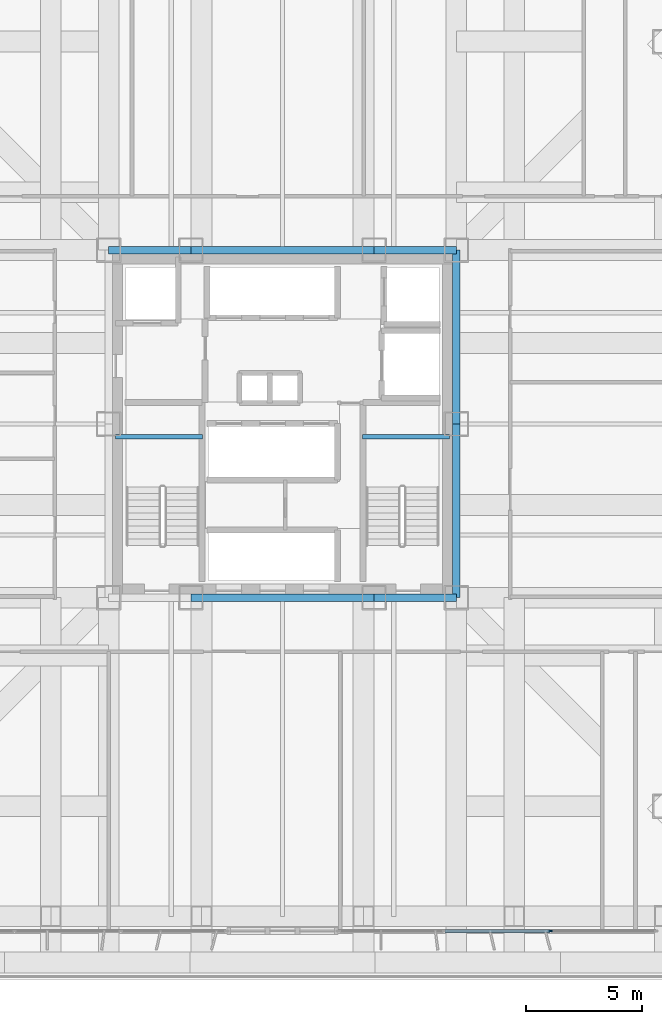
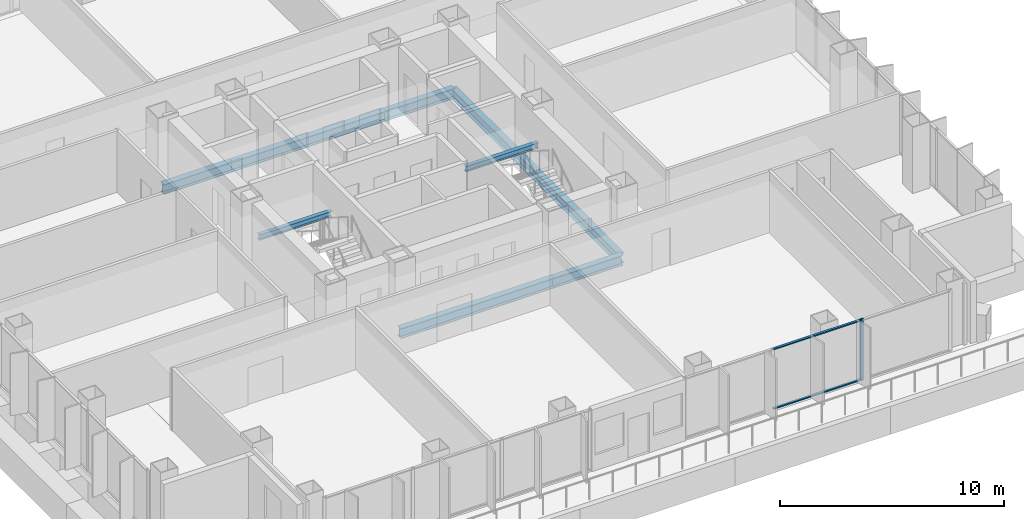
# One storey, part 5 of 17: 9 beams, 3 members, 1 element without a shape of its own.
"""IFC4 building model written with IfcOpenShell, lengths in metres."""

from ifc_helpers import new_model, si_unit, direction, frame, origin, origin_2d, place, context, subcontext, project, spatial, rectangle, i_section, extrude, material, layer, layer_set, material_profile, profile_set, type_object, element, aggregate, save


model = new_model("IFC4")

# Units and contexts
model_context = context("Model", 3, precision=1e-05, world=origin(), true_north=direction((0.0, 1.0)))
body_context = subcontext(model_context, "Body", "Model", "MODEL_VIEW")
ifc_project = project(units=[si_unit("LENGTHUNIT", "METRE"), si_unit("AREAUNIT", "SQUARE_METRE"), si_unit("VOLUMEUNIT", "CUBIC_METRE"), si_unit("PLANEANGLEUNIT", "RADIAN"), si_unit("MASSUNIT", "GRAM", prefix="KILO")], contexts=[model_context])

# Site, building, storey
site_placement = place(None, origin())
site = spatial("IfcSite", under=ifc_project, at=site_placement, CompositionType="ELEMENT")
building_placement = place(site_placement, origin())
building = spatial("IfcBuilding", under=site, at=building_placement, Name="Trevonay Congress Spire", CompositionType="ELEMENT")
storey_placement = place(building_placement, frame((0.0, 0.0, 94.0)))
storey = spatial("IfcBuildingStorey", under=building, at=storey_placement, Name="L23", CompositionType="ELEMENT", Elevation=94.0)

# Beams
ifc_material_1 = material(Name="Steel ASTM A572 Grade 50", Category="steel")
ifc_material_profile_1 = material_profile(ifc_material_1, i_section(OverallWidth=0.31201171875, OverallDepth=0.54296875, WebThickness=0.0126953125, FlangeThickness=0.020263671875, FilletRadius=0.014892578125, at=origin_2d()), Name="W530x150")
ifc_profile_set_1 = profile_set([ifc_material_profile_1], Name="Steel ASTM A572 Grade 50")
beam_type_1 = type_object("IfcBeamType", Name="BM-GIRD-W530X150", PredefinedType="BEAM", material=ifc_profile_set_1)
beam_1_placement = place(storey_placement, frame((-3.949951171875, -7.5, -0.67138671875), z_axis=(1.0, 0.0, 0.0), x_axis=(0.0, 1.0, 0.0)))
element("IfcBeam", 1, at=beam_1_placement, inside=storey, type_object=beam_type_1, Name="L23 structural beam BM-L23-CR-S2", PredefinedType="BEAM", context=body_context, shape_type="SweptSolid", body=[
    extrude(i_section(OverallWidth=0.31201171875, OverallDepth=0.54296875, WebThickness=0.0126953125, FlangeThickness=0.020263671875, FilletRadius=0.014892578125, at=origin_2d()), origin(), (0.0, 0.0, 1.0), 7.89990234375),
])
for number, where, z_axis, x_axis, name in (
    (2, (3.949951171875, -7.5, -0.67138671875), (1.0, 0.0, 0.0), (0.0, 1.0, 0.0), "L23 structural beam BM-L23-CR-S3"),
    (3, (-7.5, 7.5, -0.67138671875), (1.0, 0.0, 0.0), (0.0, 1.0, 0.0), "L23 structural beam BM-L23-CR-N1"),
):
    element("IfcBeam", number, at=place(storey_placement, frame(where, z_axis=z_axis, x_axis=x_axis)), inside=storey, type_object=beam_type_1, Name=name, PredefinedType="BEAM", context=body_context, shape_type="SweptSolid", body=[
        extrude(i_section(OverallWidth=0.31201171875, OverallDepth=0.54296875, WebThickness=0.0126953125, FlangeThickness=0.020263671875, FilletRadius=0.014892578125, at=origin_2d()), origin(), (0.0, 0.0, 1.0), 3.550048828125),
    ])
beam_2_placement = place(storey_placement, frame((-3.949951171875, 7.5, -0.67138671875), z_axis=(1.0, 0.0, 0.0), x_axis=(0.0, 1.0, 0.0)))
element("IfcBeam", 4, at=beam_2_placement, inside=storey, type_object=beam_type_1, Name="L23 structural beam BM-L23-CR-N2", PredefinedType="BEAM", context=body_context, shape_type="SweptSolid", body=[
    extrude(i_section(OverallWidth=0.31201171875, OverallDepth=0.54296875, WebThickness=0.0126953125, FlangeThickness=0.020263671875, FilletRadius=0.014892578125, at=origin_2d()), origin(), (0.0, 0.0, 1.0), 7.89990234375),
])
beam_3_placement = place(storey_placement, frame((3.949951171875, 7.5, -0.67138671875), z_axis=(1.0, 0.0, 0.0), x_axis=(0.0, 1.0, 0.0)))
element("IfcBeam", 5, at=beam_3_placement, inside=storey, type_object=beam_type_1, Name="L23 structural beam BM-L23-CR-N3", PredefinedType="BEAM", context=body_context, shape_type="SweptSolid", body=[
    extrude(i_section(OverallWidth=0.31201171875, OverallDepth=0.54296875, WebThickness=0.0126953125, FlangeThickness=0.020263671875, FilletRadius=0.014892578125, at=origin_2d()), origin(), (0.0, 0.0, 1.0), 3.550048828125),
])
for number, where, z_axis, x_axis, name in (
    (6, (7.5, -7.5, -0.67138671875), (0.0, 1.0, 0.0), (-1.0, 0.0, 0.0), "L23 structural beam BM-L23-CR-E1"),
    (7, (7.5, 0.0, -0.67138671875), (0.0, 1.0, 0.0), (-1.0, 0.0, 0.0), "L23 structural beam BM-L23-CR-E2"),
):
    element("IfcBeam", number, at=place(storey_placement, frame(where, z_axis=z_axis, x_axis=x_axis)), inside=storey, type_object=beam_type_1, Name=name, PredefinedType="BEAM", context=body_context, shape_type="SweptSolid", body=[
        extrude(i_section(OverallWidth=0.31201171875, OverallDepth=0.54296875, WebThickness=0.0126953125, FlangeThickness=0.020263671875, FilletRadius=0.014892578125, at=origin_2d()), origin(), (0.0, 0.0, 1.0), 7.5),
    ])

# Curtain wall, members
ifc_material_2 = material(Name="Pale Anodised Aluminium EN AW-6063-T6", Category="aluminium")
ifc_layer = layer(ifc_material_2, 0.175048828125, Name="Pale Anodised Aluminium EN AW-6063-T6")
ifc_layer_set = layer_set([ifc_layer], Name="Pale Anodised Aluminium EN AW-6063-T6")
curtain_wall_type = type_object("IfcCurtainWallType", Name="CW-SYS03-CONGRESS-PALE-METAL", PredefinedType="NOTDEFINED", material=ifc_layer_set)
curtain_wall_placement = place(storey_placement, origin())
curtain_wall = element("IfcCurtainWall", 8, at=curtain_wall_placement, inside=storey, type_object=curtain_wall_type, Name="L23 SB unitised curtain wall", PredefinedType="NOTDEFINED")
ifc_material_profile_2 = material_profile(ifc_material_2, rectangle(XDim=0.06005859375, YDim=0.159912109375, at=origin_2d()), Name="CW-MULLION-160-ALUMINIUM")
ifc_profile_set_2 = profile_set([ifc_material_profile_2], Name="Pale Anodised Aluminium EN AW-6063-T6")
member_type_1 = type_object("IfcMemberType", Name="CW-MULLION-160-ALUMINIUM", PredefinedType="MULLION", material=ifc_profile_set_2)
member_1_placement = place(storey_placement, frame((11.566650390625, -21.8798828125, 0.0), z_axis=(0.0, 0.0, 1.0), x_axis=(0.0, 1.0, 0.0)))
member_1 = element("IfcMember", 9, at=member_1_placement, type_object=member_type_1, Name="CW03 mullion 3", PredefinedType="MULLION", context=body_context, shape_type="SweptSolid", body=[
    extrude(rectangle(XDim=0.06005859375, YDim=0.159912109375, at=origin_2d()), origin(), (0.0, 0.0, 1.0), 3.360107421875),
])
ifc_material_profile_3 = material_profile(ifc_material_2, rectangle(XDim=0.1201171875, YDim=0.06005859375, at=origin_2d()), Name="CW-TRANSOM-120-ALUMINIUM")
ifc_profile_set_3 = profile_set([ifc_material_profile_3], Name="Pale Anodised Aluminium EN AW-6063-T6")
member_type_2 = type_object("IfcMemberType", Name="CW-TRANSOM-120-ALUMINIUM", PredefinedType="USERDEFINED", material=ifc_profile_set_3)
member_2_placement = place(storey_placement, frame((7.013427734375, -21.8798828125, 0.06005859375), z_axis=(1.0, 0.0, 0.0), x_axis=(0.0, 1.0, 0.0)))
member_2 = element("IfcMember", 10, at=member_2_placement, type_object=member_type_2, Name="CW03 transom 2.1", ObjectType="TRANSOM", PredefinedType="USERDEFINED", context=body_context, shape_type="SweptSolid", body=[
    extrude(rectangle(XDim=0.1201171875, YDim=0.06005859375, at=origin_2d()), origin(), (0.0, 0.0, 1.0), 4.523193359375),
])
member_3_placement = place(storey_placement, frame((7.013427734375, -21.8798828125, 3.300048828125), z_axis=(1.0, 0.0, 0.0), x_axis=(0.0, 1.0, 0.0)))
member_3 = element("IfcMember", 11, at=member_3_placement, type_object=member_type_2, Name="CW03 transom 2.2", ObjectType="TRANSOM", PredefinedType="USERDEFINED", context=body_context, shape_type="SweptSolid", body=[
    extrude(rectangle(XDim=0.1201171875, YDim=0.06005859375, at=origin_2d()), origin(), (0.0, 0.0, 1.0), 4.523193359375),
])
aggregate(curtain_wall, [member_1, member_2, member_3])

# Beams
ifc_material_profile_4 = material_profile(ifc_material_1, i_section(OverallWidth=0.2041015625, OverallDepth=0.305908203125, WebThickness=0.008544921875, FlangeThickness=0.0146484375, FilletRadius=0.010986328125, at=origin_2d()), Name="W310x67")
ifc_profile_set_4 = profile_set([ifc_material_profile_4], Name="Steel ASTM A572 Grade 50")
beam_type_2 = type_object("IfcBeamType", Name="LN-CORE-W310X67", PredefinedType="LINTEL", material=ifc_profile_set_4)
for number, where, z_axis, x_axis, name in (
    (12, (-7.199951171875, -0.550048828125, 1.447021484375), (1.0, 0.0, 0.0), (0.0, 1.0, 0.0), "L23 structural beam BM-L23-HL-ST1"),
    (13, (3.449951171875, -0.550048828125, 1.447021484375), (1.0, 0.0, 0.0), (0.0, 1.0, 0.0), "L23 structural beam BM-L23-HL-ST2"),
):
    element("IfcBeam", number, at=place(storey_placement, frame(where, z_axis=z_axis, x_axis=x_axis)), inside=storey, type_object=beam_type_2, Name=name, PredefinedType="LINTEL", context=body_context, shape_type="SweptSolid", body=[
        extrude(i_section(OverallWidth=0.2041015625, OverallDepth=0.305908203125, WebThickness=0.008544921875, FlangeThickness=0.0146484375, FilletRadius=0.010986328125, at=origin_2d()), origin(), (0.0, 0.0, 1.0), 3.75),
    ])

save(model, "model.ifc")
